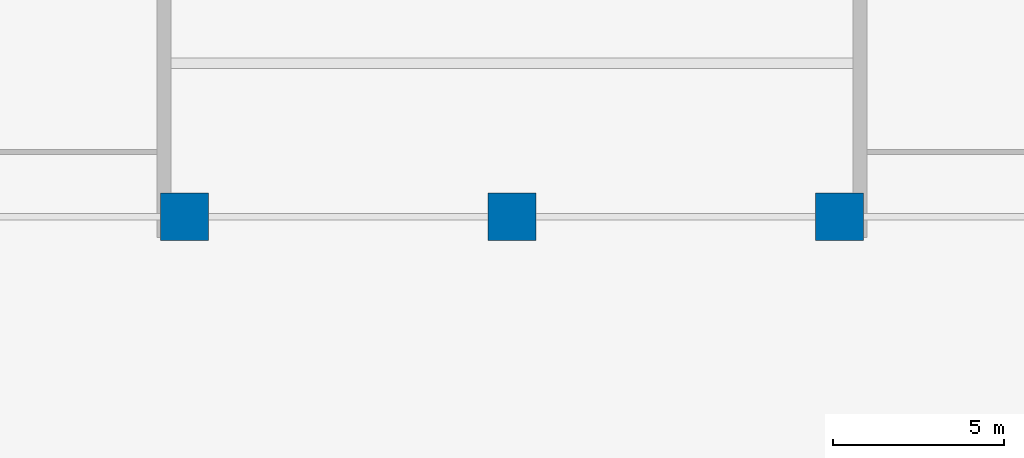
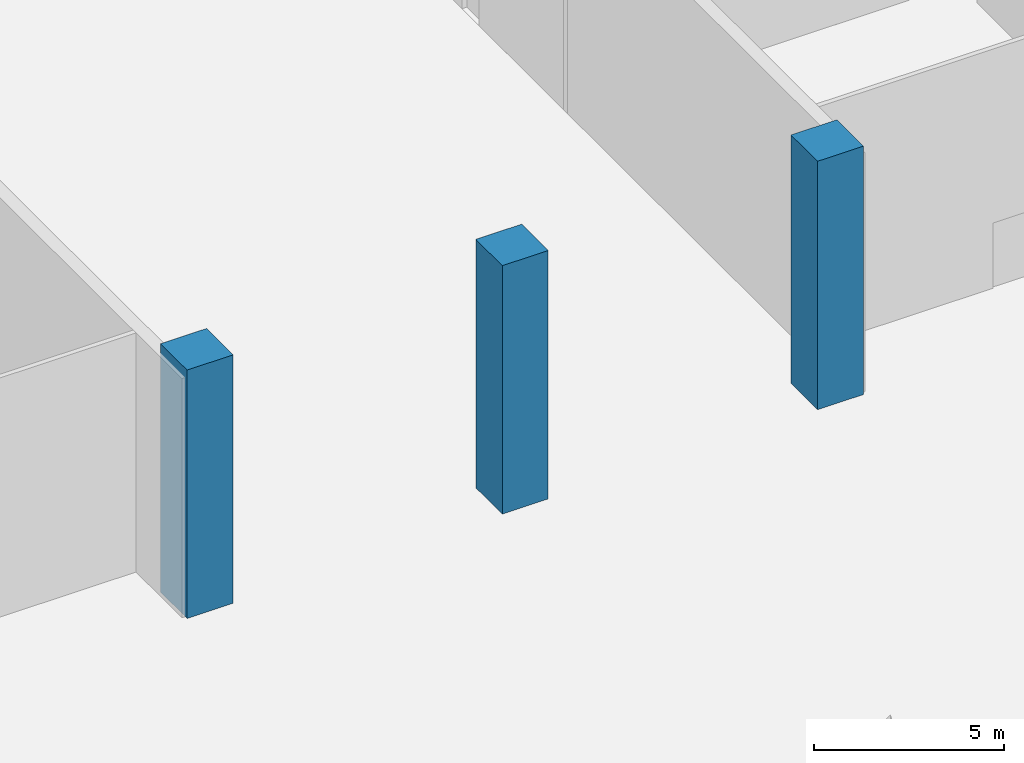
# One storey, part 4 of 38: 3 columns.
"""IFC4 building model written with IfcOpenShell, lengths in metres."""

from ifc_helpers import new_model, si_unit, direction, frame, origin, origin_2d, place, context, subcontext, project, spatial, rectangle, extrude, material, material_profile, profile_set, type_object, element, save


model = new_model("IFC4")

# Units and contexts
model_context = context("Model", 3, precision=1e-05, world=origin(), true_north=direction((0.0, 1.0)))
body_context = subcontext(model_context, "Body", "Model", "MODEL_VIEW")
ifc_project = project(units=[si_unit("LENGTHUNIT", "METRE"), si_unit("AREAUNIT", "SQUARE_METRE"), si_unit("VOLUMEUNIT", "CUBIC_METRE"), si_unit("PLANEANGLEUNIT", "RADIAN"), si_unit("MASSUNIT", "GRAM", prefix="KILO")], contexts=[model_context])

# Site, building, storey
site_placement = place(None, origin())
site = spatial("IfcSite", under=ifc_project, at=site_placement, CompositionType="ELEMENT")
building_placement = place(site_placement, origin())
building = spatial("IfcBuilding", under=site, at=building_placement, Name="Ogive Exchange Tower", CompositionType="ELEMENT")
storey_placement = place(building_placement, origin())
storey = spatial("IfcBuildingStorey", under=building, at=storey_placement, Name="L00", CompositionType="ELEMENT", Elevation=0.0)

# Columns
ifc_material = material(Name="Concrete C70/85", Category="concrete")
ifc_material_profile = material_profile(ifc_material, rectangle(XDim=1.39990234375, YDim=1.39990234375, at=origin_2d()), Name="RC 1400x1400")
ifc_profile_set = profile_set([ifc_material_profile], Name="Concrete C70/85")
column_type = type_object("IfcColumnType", Name="RC column 1400x1400", PredefinedType="COLUMN", material=ifc_profile_set)
for number, where, z_axis, x_axis, name in (
    (1, (-9.60009765625, -30.39990234375, 0.0), (0.0, 0.0, 1.0), (1.0, 0.0, 0.0), "Leg column"),
    (2, (0.0, -30.39990234375, 0.0), (0.0, 0.0, 1.0), (1.0, 0.0, 0.0), "Leg column"),
    (3, (9.60009765625, -30.39990234375, 0.0), (0.0, 0.0, 1.0), (1.0, 0.0, 0.0), "Leg column"),
):
    element("IfcColumn", number, at=place(storey_placement, frame(where, z_axis=z_axis, x_axis=x_axis)), inside=storey, type_object=column_type, Name=name, PredefinedType="COLUMN", context=body_context, shape_type="SweptSolid", body=[
        extrude(rectangle(XDim=1.39990234375, YDim=1.39990234375, at=origin_2d()), origin(), (0.0, 0.0, 1.0), 8.0),
    ])

save(model, "model.ifc")
